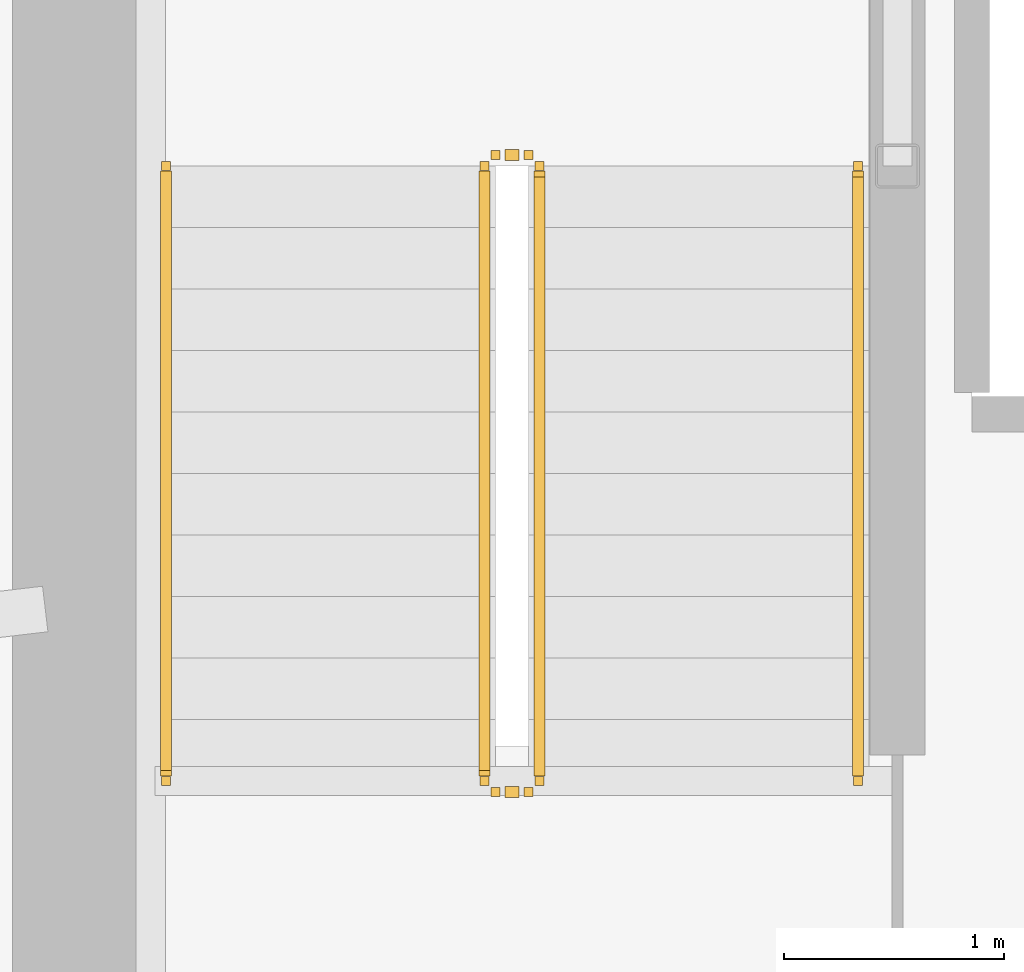
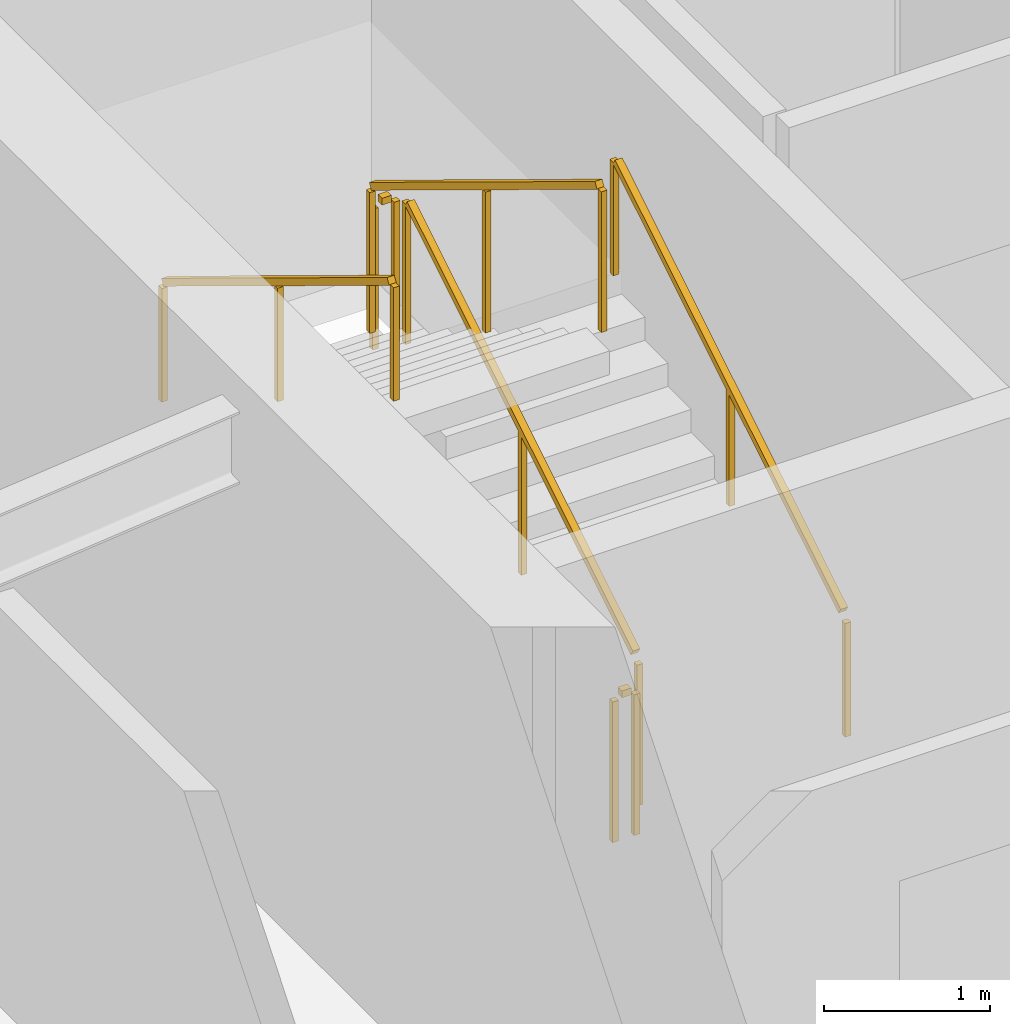
# One storey, part 18 of 21: 6 railings.
"""IFC4 building model written with IfcOpenShell, lengths in metres."""

from ifc_helpers import new_model, si_unit, direction, frame, origin, origin_2d, place, context, subcontext, project, spatial, rectangle, extrude, material, type_object, element, save


model = new_model("IFC4")

# Units and contexts
model_context = context("Model", 3, precision=1e-05, world=origin(), true_north=direction((0.0, 1.0)))
body_context = subcontext(model_context, "Body", "Model", "MODEL_VIEW")
ifc_project = project(units=[si_unit("LENGTHUNIT", "METRE"), si_unit("AREAUNIT", "SQUARE_METRE"), si_unit("VOLUMEUNIT", "CUBIC_METRE"), si_unit("PLANEANGLEUNIT", "RADIAN"), si_unit("MASSUNIT", "GRAM", prefix="KILO")], contexts=[model_context])

# Site, building, storey
site_placement = place(None, origin())
site = spatial("IfcSite", under=ifc_project, at=site_placement, CompositionType="ELEMENT")
building_placement = place(site_placement, origin())
building = spatial("IfcBuilding", under=site, at=building_placement, Name="Kazma Halo Residences", CompositionType="ELEMENT")
storey_placement = place(building_placement, frame((0.0, 0.0, 195.300048828125)))
storey = spatial("IfcBuildingStorey", under=building, at=storey_placement, Name="L49", CompositionType="ELEMENT", Elevation=195.300048828125)

# Railings
ifc_material_1 = material(Name="Painted Steel S355", Category="steel")
railing_type_1 = type_object("IfcRailingType", Name="RLG-STAIR-GRD-1100", PredefinedType="GUARDRAIL", material=ifc_material_1)
railing_1_placement = place(storey_placement, frame((39.550048828125, 39.949951171875, 0.17041015625)))
element("IfcRailing", 1, at=railing_1_placement, inside=storey, type_object=railing_type_1, Name="L49 ST-01 stair guard 1", PredefinedType="GUARDRAIL", context=body_context, shape_type="SweptSolid", body=[
    extrude(rectangle(XDim=0.050048828125, YDim=0.050048828125, at=origin_2d()), frame((0.0, 0.036376953125, 1.09716796875), z_axis=(0.0, 0.854169791009, 0.51999420009), x_axis=(-1.0, 0.0, 0.0)), (0.0, 0.0, 1.0), 3.193115234375),
    extrude(rectangle(XDim=0.0400390625, YDim=0.0400390625, at=origin_2d()), origin(), (0.0, 0.0, 1.0), 1.0380859375),
    extrude(rectangle(XDim=0.0400390625, YDim=0.0400390625, at=origin_2d()), frame((0.0, 1.39990234375, 0.852294921875)), (0.0, 0.0, 1.0), 1.0380859375),
    extrude(rectangle(XDim=0.0400390625, YDim=0.0400390625, at=origin_2d()), frame((0.0, 2.800048828125, 1.70458984375)), (0.0, 0.0, 1.0), 1.0380859375),
])
railing_2_placement = place(storey_placement, frame((39.5, 42.800048828125, 1.875)))
element("IfcRailing", 2, at=railing_2_placement, inside=storey, type_object=railing_type_1, Name="L49 ST-01 stair guard 2", PredefinedType="GUARDRAIL", context=body_context, shape_type="SweptSolid", body=[
    extrude(rectangle(XDim=0.050048828125, YDim=0.050048828125, at=origin_2d()), frame((-0.04248046875, 0.0, 1.0751953125), z_axis=(-1.0, 0.0, 0.0), x_axis=(0.0, -1.0, 0.0)), (0.0, 0.0, 1.0), 0.06494140625),
    extrude(rectangle(XDim=0.0400390625, YDim=0.0400390625, at=origin_2d()), origin(), (0.0, 0.0, 1.0), 1.0380859375),
    extrude(rectangle(XDim=0.0400390625, YDim=0.0400390625, at=origin_2d()), frame((-0.14990234375, 0.0, 0.0)), (0.0, 0.0, 1.0), 1.0380859375),
])
railing_3_placement = place(storey_placement, frame((39.300048828125, 42.75, 2.04541015625)))
element("IfcRailing", 3, at=railing_3_placement, inside=storey, type_object=railing_type_1, Name="L49 ST-01 stair guard 3", PredefinedType="GUARDRAIL", context=body_context, shape_type="SweptSolid", body=[
    extrude(rectangle(XDim=0.050048828125, YDim=0.050048828125, at=origin_2d()), frame((0.0, -0.036376953125, 1.09716796875), z_axis=(0.0, -0.854169791009, 0.51999420009), x_axis=(1.0, 0.0, 0.0)), (0.0, 0.0, 1.0), 3.193115234375),
    extrude(rectangle(XDim=0.0400390625, YDim=0.0400390625, at=origin_2d()), origin(), (0.0, 0.0, 1.0), 1.0380859375),
    extrude(rectangle(XDim=0.0400390625, YDim=0.0400390625, at=origin_2d()), frame((0.0, -1.39990234375, 0.852294921875)), (0.0, 0.0, 1.0), 1.0380859375),
    extrude(rectangle(XDim=0.0400390625, YDim=0.0400390625, at=origin_2d()), frame((0.0, -2.800048828125, 1.70458984375)), (0.0, 0.0, 1.0), 1.0380859375),
])
railing_4_placement = place(storey_placement, frame((39.5, 39.89990234375, 0.0)))
element("IfcRailing", 4, at=railing_4_placement, inside=storey, type_object=railing_type_1, Name="L49 ST-01 stair guard 4", PredefinedType="GUARDRAIL", context=body_context, shape_type="SweptSolid", body=[
    extrude(rectangle(XDim=0.050048828125, YDim=0.050048828125, at=origin_2d()), frame((-0.04248046875, 0.0, 1.0751953125), z_axis=(-1.0, 0.0, 0.0), x_axis=(0.0, -1.0, 0.0)), (0.0, 0.0, 1.0), 0.06494140625),
    extrude(rectangle(XDim=0.0400390625, YDim=0.0400390625, at=origin_2d()), origin(), (0.0, 0.0, 1.0), 1.0380859375),
    extrude(rectangle(XDim=0.0400390625, YDim=0.0400390625, at=origin_2d()), frame((-0.14990234375, 0.0, 0.0)), (0.0, 0.0, 1.0), 1.0380859375),
])
ifc_material_2 = material(Name="Brushed Stainless Steel", Category="steel")
railing_type_2 = type_object("IfcRailingType", Name="RLG-STAIR-HND-900", PredefinedType="HANDRAIL", material=ifc_material_2)
railing_5_placement = place(storey_placement, frame((41.0, 39.949951171875, 0.17041015625)))
element("IfcRailing", 5, at=railing_5_placement, inside=storey, type_object=railing_type_2, Name="L49 ST-01 stair handrail 1", PredefinedType="HANDRAIL", context=body_context, shape_type="SweptSolid", body=[
    extrude(rectangle(XDim=0.050048828125, YDim=0.050048828125, at=origin_2d()), frame((0.0, 0.036376953125, 0.89697265625), z_axis=(0.0, 0.854169791009, 0.51999420009), x_axis=(-1.0, 0.0, 0.0)), (0.0, 0.0, 1.0), 3.193115234375),
    extrude(rectangle(XDim=0.0400390625, YDim=0.0400390625, at=origin_2d()), origin(), (0.0, 0.0, 1.0), 0.837890625),
    extrude(rectangle(XDim=0.0400390625, YDim=0.0400390625, at=origin_2d()), frame((0.0, 1.39990234375, 0.852294921875)), (0.0, 0.0, 1.0), 0.837890625),
    extrude(rectangle(XDim=0.0400390625, YDim=0.0400390625, at=origin_2d()), frame((0.0, 2.800048828125, 1.70458984375)), (0.0, 0.0, 1.0), 0.837890625),
])
railing_6_placement = place(storey_placement, frame((37.85009765625, 42.75, 2.04541015625)))
element("IfcRailing", 6, at=railing_6_placement, inside=storey, type_object=railing_type_2, Name="L49 ST-01 stair handrail 2", PredefinedType="HANDRAIL", context=body_context, shape_type="SweptSolid", body=[
    extrude(rectangle(XDim=0.050048828125, YDim=0.050048828125, at=origin_2d()), frame((0.0, -0.036376953125, 0.89697265625), z_axis=(0.0, -0.854169791009, 0.51999420009), x_axis=(1.0, 0.0, 0.0)), (0.0, 0.0, 1.0), 3.193115234375),
    extrude(rectangle(XDim=0.0400390625, YDim=0.0400390625, at=origin_2d()), origin(), (0.0, 0.0, 1.0), 0.837890625),
    extrude(rectangle(XDim=0.0400390625, YDim=0.0400390625, at=origin_2d()), frame((0.0, -1.39990234375, 0.852294921875)), (0.0, 0.0, 1.0), 0.837890625),
    extrude(rectangle(XDim=0.0400390625, YDim=0.0400390625, at=origin_2d()), frame((0.0, -2.800048828125, 1.70458984375)), (0.0, 0.0, 1.0), 0.837890625),
])

save(model, "model.ifc")
